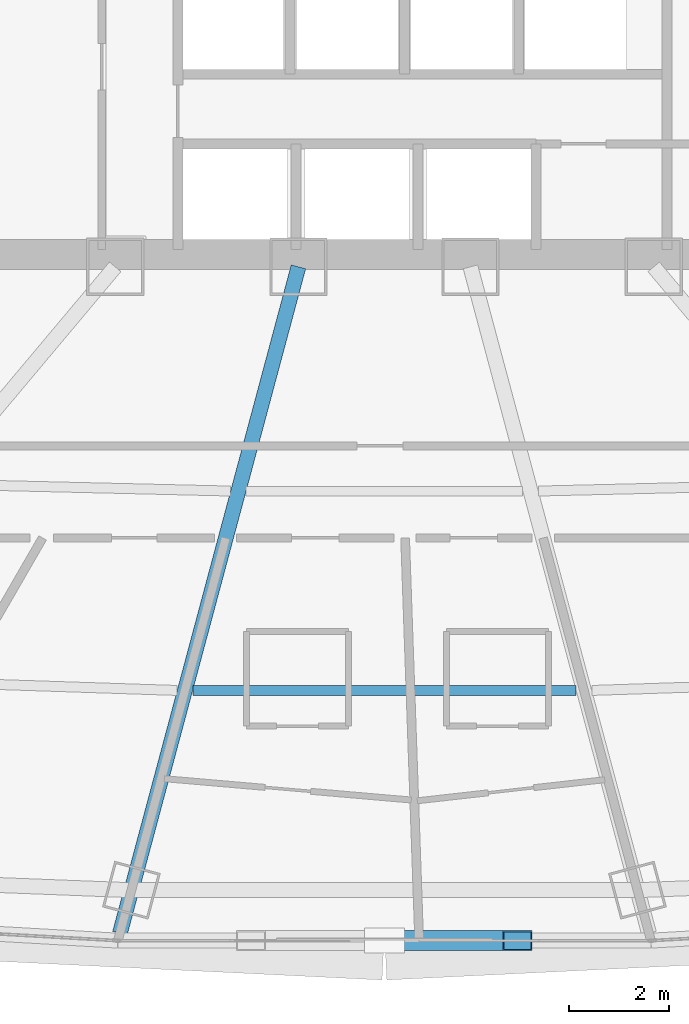
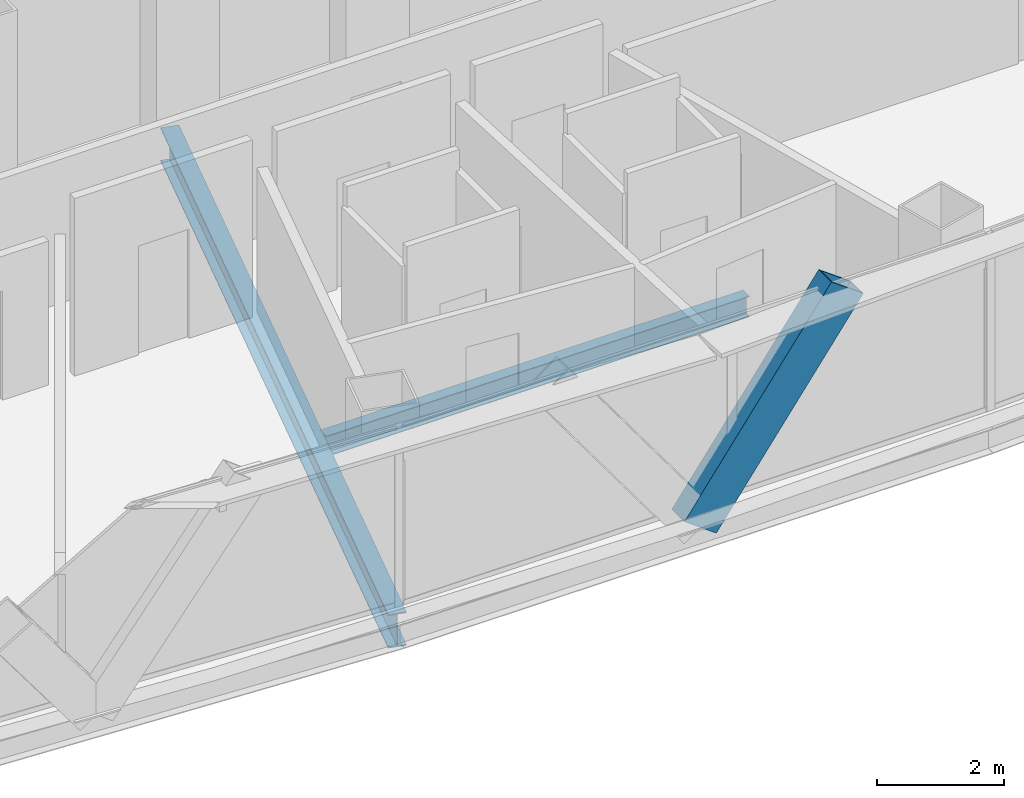
# One storey, part 11 of 39: 2 beams, 1 member.
"""IFC4 building model written with IfcOpenShell, lengths in metres."""

from ifc_helpers import new_model, si_unit, direction, frame, origin, origin_2d, place, context, subcontext, project, spatial, hollow_rectangle, i_section, extrude, source, transform, mapped, material, material_profile, profile_set, type_object, element, save


model = new_model("IFC4")

# Units and contexts
model_context = context("Model", 3, precision=1e-05, world=origin(), true_north=direction((0.0, 1.0)))
body_context = subcontext(model_context, "Body", "Model", "MODEL_VIEW")
ifc_project = project(units=[si_unit("LENGTHUNIT", "METRE"), si_unit("AREAUNIT", "SQUARE_METRE"), si_unit("VOLUMEUNIT", "CUBIC_METRE"), si_unit("PLANEANGLEUNIT", "RADIAN"), si_unit("MASSUNIT", "GRAM", prefix="KILO"), si_unit("THERMODYNAMICTEMPERATUREUNIT", "KELVIN"), si_unit("POWERUNIT", "WATT")], contexts=[model_context])

# Site, building, storey
site_placement = place(None, origin())
site = spatial("IfcSite", under=ifc_project, at=site_placement, CompositionType="ELEMENT")
building_placement = place(site_placement, origin())
building = spatial("IfcBuilding", under=site, at=building_placement, Name="Yunzhuo Pagoda Commons", CompositionType="ELEMENT")
storey_placement = place(building_placement, frame((0.0, 0.0, 166.6298828125)))
storey = spatial("IfcBuildingStorey", under=building, at=storey_placement, Name="L42", CompositionType="ELEMENT", Elevation=166.6298828125)

# Beams
ifc_material = material(Name="Structural steel Q355B", Category="steel")
ifc_material_profile_1 = material_profile(ifc_material, i_section(OverallWidth=0.199951171875, OverallDepth=0.39990234375, WebThickness=0.008056640625, FlangeThickness=0.012939453125, at=origin_2d()), Name="Structural steel Q355B")
ifc_profile_set_1 = profile_set([ifc_material_profile_1], Name="Structural steel Q355B")
beam_type_1 = type_object("IfcBeamType", Name="B-JS1 Joist HN 400x200x8x13", PredefinedType="JOIST", material=ifc_profile_set_1)
shared_shape_1 = source(origin(), body_context, "Body", "SweptSolid", [
    extrude(i_section(OverallWidth=0.199951171875, OverallDepth=0.39990234375, WebThickness=0.008056640625, FlangeThickness=0.012939453125, at=origin_2d()), origin(), (0.0, 0.0, 1.0), 7.7041015625),
])
beam_1_placement = place(storey_placement, frame((44.14794921875, 18.730712890625, -0.4599609375), z_axis=(1.0, 0.0, 0.0), x_axis=(0.0, 1.0, 0.0)))
element("IfcBeam", 1, at=beam_1_placement, inside=storey, type_object=beam_type_1, Name="L42 composite ring joist 2.2", PredefinedType="JOIST", context=body_context, shape_type="MappedRepresentation", body=[
    mapped(shared_shape_1, transform((0.0, 0.0, 0.0), scale=1.0)),
])
ifc_material_profile_2 = material_profile(ifc_material, i_section(OverallWidth=0.300048828125, OverallDepth=0.64990234375, WebThickness=0.012939453125, FlangeThickness=0.02197265625, at=origin_2d()), Name="Structural steel Q355B")
ifc_profile_set_2 = profile_set([ifc_material_profile_2], Name="Structural steel Q355B")
beam_type_2 = type_object("IfcBeamType", Name="B-RG2 Beam HN 650x300x13x22", PredefinedType="BEAM", material=ifc_profile_set_2)
shared_shape_2 = source(origin(), body_context, "Body", "SweptSolid", [
    extrude(i_section(OverallWidth=0.300048828125, OverallDepth=0.64990234375, WebThickness=0.012939453125, FlangeThickness=0.02197265625, at=origin_2d()), origin(), (0.0, 0.0, 1.0), 13.865478515625),
])
beam_2_placement = place(storey_placement, frame((42.683349609375, 13.85693359375, -0.5849609375), z_axis=(0.258816469176, 0.965926516503, 0.0), x_axis=(-0.965926516503, 0.258816469176, 0.0)))
element("IfcBeam", 2, at=beam_2_placement, inside=storey, type_object=beam_type_2, Name="L42 radial floor girder F1C2", PredefinedType="BEAM", context=body_context, shape_type="MappedRepresentation", body=[
    mapped(shared_shape_2, transform((0.0, 0.0, 0.0), scale=1.0)),
])

# Member
ifc_material_profile_3 = material_profile(ifc_material, hollow_rectangle(XDim=0.39990234375, YDim=0.719970703125, WallThickness=0.02392578125, at=origin_2d()), Name="Structural steel Q355B")
ifc_profile_set_3 = profile_set([ifc_material_profile_3], Name="Structural steel Q355B")
member_type = type_object("IfcMemberType", Name="M-DL2 Brace BOX 720x400x24", PredefinedType="BRACE", material=ifc_profile_set_3)
shared_shape_3 = source(origin(), body_context, "Body", "SweptSolid", [
    extrude(hollow_rectangle(XDim=0.39990234375, YDim=0.719970703125, WallThickness=0.02392578125, at=origin_2d()), origin(), (0.0, 0.0, 1.0), 4.5517578125),
])
member_placement = place(storey_placement, frame((48.0, 13.707275390625, -0.259765625), z_axis=(0.588516087242, 0.0, 0.808485507018), x_axis=(0.0, 1.0, 0.0)))
element("IfcMember", 3, at=member_placement, inside=storey, type_object=member_type, Name="L42 facade diamond brace F1.2R", PredefinedType="BRACE", context=body_context, shape_type="MappedRepresentation", body=[
    mapped(shared_shape_3, transform((0.0, 0.0, 0.0), scale=1.0)),
])

save(model, "model.ifc")
